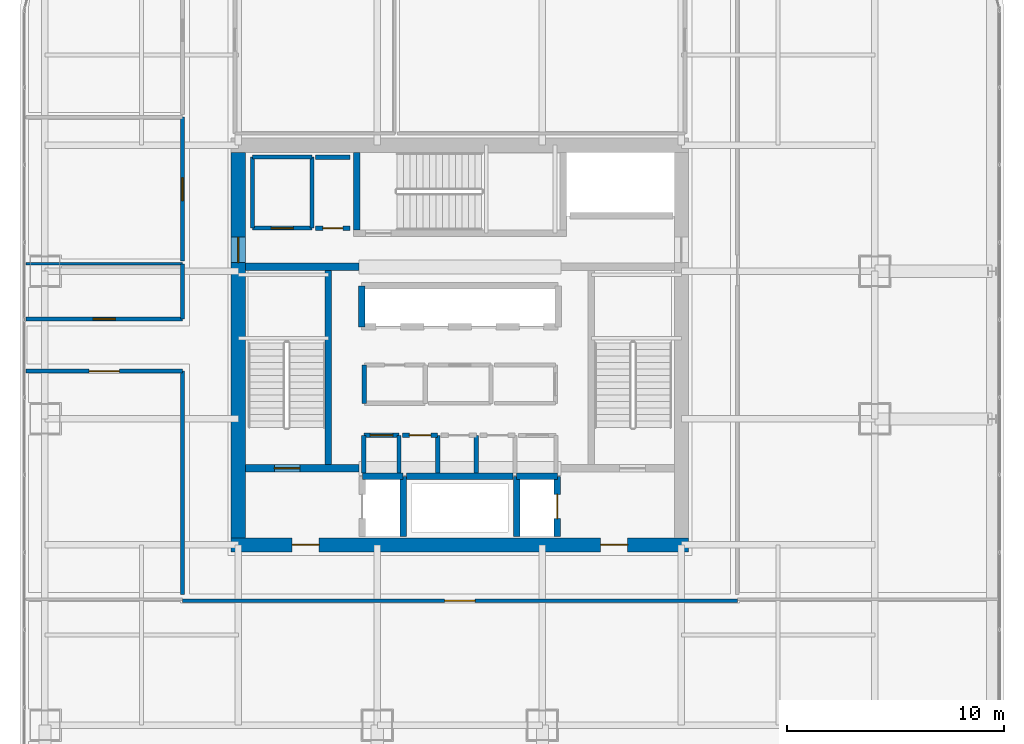
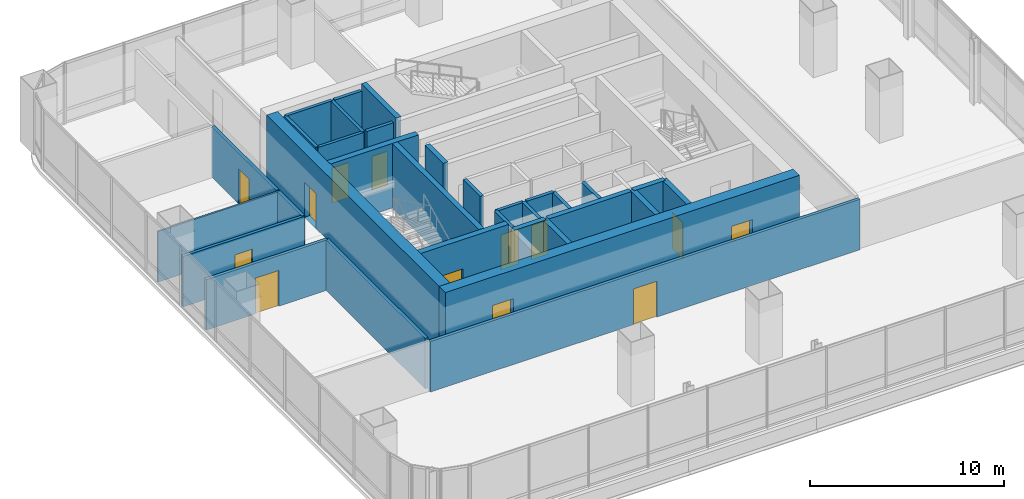
# One storey, part 29 of 36: 33 walls, 13 doors, 13 openings.
"""IFC4 building model written with IfcOpenShell, lengths in metres."""

import ifcopenshell
import ifcopenshell.guid

model = None  # the IFC model being written
_history = None  # IfcOwnerHistory: only IFC2X3 demands one
_inside = {}  # id of a spatial element -> (the spatial element, [elements in it])
_under = {}  # id of a project, library or spatial element -> (it, [spatial elements below it])
_declared = {}  # id of a project -> (the project, [libraries it declares])
_typed = {}  # id of a type object -> (the type object, [elements of that type])
_made_of = {}  # id of a material, layer set ... -> (it, [elements and type objects made of it])


def new_model(schema):
    """Start an empty IFC model of exactly this schema.

    Asked for "IFC4X3", IfcOpenShell would pick the latest addendum, in which some entities
    have other attributes; the version numbers below select the first issue.
    IFC2X3 requires an IfcOwnerHistory on every rooted entity: one is made here for all.
    """
    global model, _history
    if schema == "IFC4X3":
        model = ifcopenshell.file(schema_version=(4, 3, 0, 0))
    else:
        model = ifcopenshell.file(schema=schema)
    _inside.clear()
    _under.clear()
    _declared.clear()
    _typed.clear()
    _made_of.clear()
    _history = None
    if model.schema == "IFC2X3":
        org = make("IfcOrganization", Name="unknown")
        user = make(
            "IfcPersonAndOrganization",
            ThePerson=make("IfcPerson", FamilyName="unknown"),
            TheOrganization=org,
        )
        app = make(
            "IfcApplication",
            ApplicationDeveloper=org,
            Version="unknown",
            ApplicationFullName="unknown",
            ApplicationIdentifier="unknown",
        )
        _history = make(
            "IfcOwnerHistory",
            OwningUser=user,
            OwningApplication=app,
            ChangeAction="ADDED",
            CreationDate=0,
        )
    return model


def make(cls, **values):
    """One entity of the class cls with the attributes given. An attribute that is None is left unset."""
    return model.create_entity(
        cls, **{name: value for name, value in values.items() if value is not None}
    )


def rooted(cls, **values):
    """An entity with a GlobalId (a new one), such as an element, a storey or a relation."""
    return make(cls, GlobalId=ifcopenshell.guid.new(), OwnerHistory=_history, **values)


def si_unit(unit_type, name, prefix=None):
    """IfcSIUnit, for example si_unit("LENGTHUNIT", "METRE", prefix="MILLI")."""
    return make("IfcSIUnit", UnitType=unit_type, Prefix=prefix, Name=name)


def assignment(units):
    """IfcUnitAssignment: the units of a project."""
    return None if units is None else make("IfcUnitAssignment", Units=units)


def point(xyz):
    """IfcCartesianPoint."""
    return None if xyz is None else make("IfcCartesianPoint", Coordinates=xyz)


def direction(xyz):
    """IfcDirection."""
    return None if xyz is None else make("IfcDirection", DirectionRatios=xyz)


def frame(location, z_axis=None, x_axis=None):
    """IfcAxis2Placement3D, a coordinate frame: its origin and axes. An axis left out is left unset."""
    return make(
        "IfcAxis2Placement3D",
        Location=point(location),
        Axis=direction(z_axis),
        RefDirection=direction(x_axis),
    )


def frame_2d(location, x_axis=None):
    """IfcAxis2Placement2D, a coordinate frame in the plane: its origin and x axis."""
    return make(
        "IfcAxis2Placement2D", Location=point(location), RefDirection=direction(x_axis)
    )


def origin():
    """The frame at (0, 0, 0) with its axes left unset."""
    return frame((0.0, 0.0, 0.0))


def place(relative_to, where):
    """IfcLocalPlacement: puts the frame where relative to a parent placement (None: the world)."""
    return make(
        "IfcLocalPlacement", PlacementRelTo=relative_to, RelativePlacement=where
    )


def context(
    kind, dimensions, precision=None, world=None, true_north=None, identifier=None
):
    """IfcGeometricRepresentationContext, for example the 3D "Model" context."""
    return make(
        "IfcGeometricRepresentationContext",
        ContextIdentifier=identifier,
        ContextType=kind,
        CoordinateSpaceDimension=dimensions,
        Precision=precision,
        WorldCoordinateSystem=world,
        TrueNorth=true_north,
    )


def subcontext(parent, identifier, kind, view, scale=None):
    """IfcGeometricRepresentationSubContext, for example "Body" below "Model"."""
    return make(
        "IfcGeometricRepresentationSubContext",
        ContextIdentifier=identifier,
        ContextType=kind,
        ParentContext=parent,
        TargetScale=scale,
        TargetView=view,
    )


def project(units=None, contexts=None):
    """IfcProject with its units and contexts."""
    return rooted(
        "IfcProject",
        Name="project",
        RepresentationContexts=contexts,
        UnitsInContext=assignment(units),
    )


def spatial(cls, under=None, at=None, **own):
    """A site, building, storey or space (cls), placed at a placement, below another one or the project."""
    s = rooted(cls, ObjectPlacement=at, **own)
    if under is not None:
        _under.setdefault(under.id(), (under, []))[1].append(s)
    return s


def profile(cls, at=None, kind="AREA", **sizes):
    """A parametric profile (cls). Its sizes go by their IFC names, for example OverallWidth=200.0."""
    return make(cls, ProfileType=kind, Position=at, **sizes)


def rectangle(**sizes):
    """IfcRectangleProfileDef."""
    return profile("IfcRectangleProfileDef", **sizes)


def extrude(swept, where, along, depth):
    """IfcExtrudedAreaSolid: the profile swept, set in the frame where, extruded along a direction by depth."""
    return make(
        "IfcExtrudedAreaSolid",
        SweptArea=swept,
        Position=where,
        ExtrudedDirection=direction(along),
        Depth=depth,
    )


def shape(context_of_items, identifier, shape_type, items):
    """IfcShapeRepresentation: the items that make up one representation, for example the "Body"."""
    return make(
        "IfcShapeRepresentation",
        ContextOfItems=context_of_items,
        RepresentationIdentifier=identifier,
        RepresentationType=shape_type,
        Items=items,
    )


def material(Name=None, Category=None):
    """IfcMaterial."""
    return make("IfcMaterial", Name=Name, Category=Category)


def layer(
    of_material, thickness, ventilated=None, Name=None, Category=None, Priority=None
):
    """IfcMaterialLayer: one layer of a wall or slab, of a material (None: an air gap)."""
    return make(
        "IfcMaterialLayer",
        Material=of_material,
        LayerThickness=thickness,
        IsVentilated=ventilated,
        Name=Name,
        Category=Category,
        Priority=Priority,
    )


def layer_set(layers, Name=None):
    """IfcMaterialLayerSet."""
    return make("IfcMaterialLayerSet", MaterialLayers=layers, LayerSetName=Name)


def made_of(thing, what):
    """Note that an element or type object is made of a material, layer set ...; save() writes the relation."""
    if what is not None:
        _made_of.setdefault(what.id(), (what, []))[1].append(thing)
    return thing


def type_object(cls, material=None, **own):
    """A type object (cls), such as IfcWallType, which elements share."""
    return made_of(rooted(cls, **own), material)


def element(
    cls,
    number,
    at=None,
    inside=None,
    cuts=None,
    type_object=None,
    material=None,
    context=None,
    identifier="Body",
    shape_type=None,
    held_by="IfcProductDefinitionShape",
    body=None,
    shapes=None,
    **own,
):
    """One element of the class cls, such as IfcWall. Its Tag is "e" and its number.

    at: its placement. inside: the storey or other place that contains it. cuts: it is an
    opening in that element (IfcRelVoidsElement). A single representation is given by context,
    identifier, shape_type and body (its items); several are given by shapes. held_by: the class
    of the entity that holds the representations. save() writes the other relations.
    """
    e = rooted(cls, Tag="e%d" % number, ObjectPlacement=at, **own)
    if body is not None:
        shapes = [shape(context, identifier, shape_type, body)]
    if shapes is not None:
        e.Representation = make(held_by, Representations=shapes)
    if inside is not None:
        _inside.setdefault(inside.id(), (inside, []))[1].append(e)
    if cuts is not None:
        rooted(
            "IfcRelVoidsElement", RelatingBuildingElement=cuts, RelatedOpeningElement=e
        )
    if type_object is not None:
        _typed.setdefault(type_object.id(), (type_object, []))[1].append(e)
    return made_of(e, material)


def fill(opening, filler):
    """IfcRelFillsElement: the door or window that sits in an opening."""
    return rooted(
        "IfcRelFillsElement",
        RelatingOpeningElement=opening,
        RelatedBuildingElement=filler,
    )


def aggregate(whole, parts):
    """IfcRelAggregates: a whole, such as a stair, and the parts it consists of."""
    return rooted("IfcRelAggregates", RelatingObject=whole, RelatedObjects=parts)


def save(model, path):
    """Write the relations noted so far, then the file.

    IfcRelAggregates (storeys below a building ...), IfcRelContainedInSpatialStructure (elements
    in a storey), IfcRelDefinesByType, IfcRelAssociatesMaterial and IfcRelDeclares: one each for
    every whole, place, type object, material and project.
    """
    for whole, parts in _under.values():
        aggregate(whole, parts)
    for where, things in _inside.values():
        rooted(
            "IfcRelContainedInSpatialStructure",
            RelatedElements=things,
            RelatingStructure=where,
        )
    for kind, things in _typed.values():
        rooted("IfcRelDefinesByType", RelatedObjects=things, RelatingType=kind)
    for what, things in _made_of.values():
        rooted("IfcRelAssociatesMaterial", RelatedObjects=things, RelatingMaterial=what)
    for by, libraries in _declared.values():
        rooted("IfcRelDeclares", RelatingContext=by, RelatedDefinitions=libraries)
    model.write(path)


model = new_model("IFC4")

# Units and contexts
model_context = context("Model", 3, precision=1e-05, world=origin(), true_north=direction((0.0, 1.0)))
body_context = subcontext(model_context, "Body", "Model", "MODEL_VIEW")
ifc_project = project(units=[si_unit("LENGTHUNIT", "METRE"), si_unit("AREAUNIT", "SQUARE_METRE"), si_unit("VOLUMEUNIT", "CUBIC_METRE"), si_unit("PLANEANGLEUNIT", "RADIAN"), si_unit("MASSUNIT", "GRAM", prefix="KILO")], contexts=[model_context])

# Site, building, storey
site_placement = place(None, origin())
site = spatial("IfcSite", under=ifc_project, at=site_placement, CompositionType="ELEMENT")
building_placement = place(site_placement, origin())
building = spatial("IfcBuilding", under=site, at=building_placement, Name="Punatoya Terracotta Tower", CompositionType="ELEMENT")
storey_placement = place(building_placement, frame((0.0, 0.0, 212.699951171875)))
storey = spatial("IfcBuildingStorey", under=building, at=storey_placement, Name="L50", CompositionType="ELEMENT", Elevation=212.699951171875)

# Wall, openings, doors
ifc_material_1 = material(Name="Concrete C60/75", Category="concrete")
ifc_layer_1 = layer(ifc_material_1, 0.64990234375)
ifc_layer_set_1 = layer_set([ifc_layer_1], Name="Concrete C60/75")
wall_type_1 = type_object("IfcWallType", Name="WL-COR-650", PredefinedType="SHEAR", material=ifc_layer_set_1)
wall_1_placement = place(storey_placement, frame((10.52490234375, -9.199951171875, 0.0), z_axis=(0.0, 0.0, 1.0), x_axis=(-1.0, 0.0, 0.0)))
wall_1 = element("IfcWall", 1, at=wall_1_placement, inside=storey, type_object=wall_type_1, Name="L50 Core Shear Wall S", PredefinedType="SHEAR", context=body_context, shape_type="SweptSolid", body=[
    extrude(rectangle(XDim=21.0498046875, YDim=0.64990234375, at=frame_2d((10.52490234375, 0.0))), origin(), (0.0, 0.0, 1.0), 4.050048828125),
])
opening_1_placement = place(wall_1_placement, frame((2.800048828125, 0.0, 0.0)))
opening_1 = element("IfcOpeningElement", 2, at=opening_1_placement, cuts=wall_1, Name="Opening FD-L1", PredefinedType="OPENING", context=body_context, shape_type="SweptSolid", body=[
    extrude(rectangle(XDim=1.25, YDim=2.25, at=frame_2d((0.625, 1.125))), frame((0.0, 0.3349609375, 0.0), z_axis=(0.0, -1.0, 0.0), x_axis=(1.0, 0.0, 0.0)), (0.0, 0.0, 1.0), 0.669921875),
])
opening_2_placement = place(wall_1_placement, frame((17.0, 0.0, 0.0)))
opening_2 = element("IfcOpeningElement", 3, at=opening_2_placement, cuts=wall_1, Name="Opening FD-L1", PredefinedType="OPENING", context=body_context, shape_type="SweptSolid", body=[
    extrude(rectangle(XDim=1.25, YDim=2.25, at=frame_2d((0.625, 1.125))), frame((0.0, 0.3349609375, 0.0), z_axis=(0.0, -1.0, 0.0), x_axis=(1.0, 0.0, 0.0)), (0.0, 0.0, 1.0), 0.669921875),
])
ifc_material_2 = material(Name="Galvanised Steel Smokeproof Fire Door", Category="steel")
door_type_1 = type_object("IfcDoorType", Name="DR-FFL-1250", OperationType="NOTDEFINED", PredefinedType="DOOR", material=ifc_material_2)
door_1_placement = place(opening_1_placement, origin())
door_1 = element("IfcDoor", 4, at=door_1_placement, inside=storey, type_object=door_type_1, Name="L50 East Firefighting Lobby Corridor Fire Door", OperationType="SINGLE_SWING_LEFT", OverallHeight=2.25, OverallWidth=1.25, PredefinedType="DOOR", context=body_context, shape_type="SweptSolid", body=[
    extrude(rectangle(XDim=1.25, YDim=2.25, at=frame_2d((0.625, 1.125))), frame((0.0, 0.02490234375, 0.0), z_axis=(0.0, -1.0, 0.0), x_axis=(1.0, 0.0, 0.0)), (0.0, 0.0, 1.0), 0.050048828125),
])
fill(opening_1, door_1)
door_2_placement = place(opening_2_placement, origin())
door_2 = element("IfcDoor", 5, at=door_2_placement, inside=storey, type_object=door_type_1, Name="L50 West Firefighting Lobby Corridor Fire Door", OperationType="SINGLE_SWING_RIGHT", OverallHeight=2.25, OverallWidth=1.25, PredefinedType="DOOR", context=body_context, shape_type="SweptSolid", body=[
    extrude(rectangle(XDim=1.25, YDim=2.25, at=frame_2d((0.625, 1.125))), frame((0.0, 0.02490234375, 0.0), z_axis=(0.0, -1.0, 0.0), x_axis=(1.0, 0.0, 0.0)), (0.0, 0.0, 1.0), 0.050048828125),
])
fill(opening_2, door_2)

# Wall, opening, door
wall_2_placement = place(storey_placement, frame((-10.199951171875, -8.875, 0.0), z_axis=(0.0, 0.0, 1.0), x_axis=(0.0, 1.0, 0.0)))
wall_2 = element("IfcWall", 6, at=wall_2_placement, inside=storey, type_object=wall_type_1, Name="L50 Core Shear Wall W", PredefinedType="SHEAR", context=body_context, shape_type="SweptSolid", body=[
    extrude(rectangle(XDim=17.75, YDim=0.64990234375, at=frame_2d((8.875, 0.0))), origin(), (0.0, 0.0, 1.0), 4.050048828125),
])
opening_3_placement = place(wall_2_placement, frame((12.6650390625, 0.0, 0.0)))
opening_3 = element("IfcOpeningElement", 7, at=opening_3_placement, cuts=wall_2, Name="Opening SD-01", PredefinedType="OPENING", context=body_context, shape_type="SweptSolid", body=[
    extrude(rectangle(XDim=1.179931640625, YDim=2.199951171875, at=frame_2d((0.58984375, 1.10009765625))), frame((0.0, 0.3349609375, 0.0), z_axis=(0.0, -1.0, 0.0), x_axis=(1.0, 0.0, 0.0)), (0.0, 0.0, 1.0), 0.669921875),
])
ifc_material_3 = material(Name="Galvanised Steel Pressurized Stair Fire Door", Category="steel")
door_type_2 = type_object("IfcDoorType", Name="DR-STR-1180", OperationType="NOTDEFINED", PredefinedType="DOOR", material=ifc_material_3)
door_3_placement = place(opening_3_placement, origin())
door_3 = element("IfcDoor", 8, at=door_3_placement, inside=storey, type_object=door_type_2, Name="L50 Central Lift Lobby West Fire Door", OperationType="SINGLE_SWING_LEFT", OverallHeight=2.199951171875, OverallWidth=1.179931640625, PredefinedType="DOOR", context=body_context, shape_type="SweptSolid", body=[
    extrude(rectangle(XDim=1.179931640625, YDim=2.199951171875, at=frame_2d((0.58984375, 1.10009765625))), frame((0.0, 0.02490234375, 0.0), z_axis=(0.0, -1.0, 0.0), x_axis=(1.0, 0.0, 0.0)), (0.0, 0.0, 1.0), 0.050048828125),
])
fill(opening_3, door_3)

# Walls
ifc_material_4 = material(Name="Gypsum Fireboard + Steel Stud", Category="steel")
ifc_layer_2 = layer(ifc_material_4, 0.179931640625)
ifc_layer_set_2 = layer_set([ifc_layer_2], Name="Gypsum Fireboard + Steel Stud")
wall_type_2 = type_object("IfcWallType", Name="WL-CORR-180", PredefinedType="PARTITIONING", material=ifc_layer_set_2)
wall_3_placement = place(storey_placement, frame((-6.800048828125, 5.3798828125, 0.0), z_axis=(0.0, 0.0, 1.0), x_axis=(0.0, 1.0, 0.0)))
element("IfcWall", 9, at=wall_3_placement, inside=storey, type_object=wall_type_2, Name="L50 West Core Briefing Pod Partition 22", PredefinedType="PARTITIONING", context=body_context, shape_type="SweptSolid", body=[
    extrude(rectangle(XDim=3.27001953125, YDim=0.179931640625, at=frame_2d((1.635009765625, 0.0))), origin(), (0.0, 0.0, 1.0), 3.830078125),
])
wall_4_placement = place(storey_placement, frame((-6.800048828125, 8.64990234375, 0.0), z_axis=(0.0, 0.0, 1.0), x_axis=(-1.0, 0.0, 0.0)))
element("IfcWall", 10, at=wall_4_placement, inside=storey, type_object=wall_type_2, Name="L50 West Core Briefing Pod Partition 23", PredefinedType="PARTITIONING", context=body_context, shape_type="SweptSolid", body=[
    extrude(rectangle(XDim=2.75, YDim=0.179931640625, at=frame_2d((1.375, 0.0))), origin(), (0.0, 0.0, 1.0), 3.830078125),
])
wall_5_placement = place(storey_placement, frame((-9.550048828125, 8.64990234375, 0.0), z_axis=(0.0, 0.0, 1.0), x_axis=(0.0, -1.0, 0.0)))
element("IfcWall", 11, at=wall_5_placement, inside=storey, type_object=wall_type_2, Name="L50 West Core Briefing Pod Partition 24", PredefinedType="PARTITIONING", context=body_context, shape_type="SweptSolid", body=[
    extrude(rectangle(XDim=3.27001953125, YDim=0.179931640625, at=frame_2d((1.635009765625, 0.0))), origin(), (0.0, 0.0, 1.0), 3.830078125),
])

# Wall, opening, door
wall_6_placement = place(storey_placement, frame((-9.550048828125, 5.3798828125, 0.0), z_axis=(0.0, 0.0, 1.0), x_axis=(1.0, 0.0, 0.0)))
wall_6 = element("IfcWall", 12, at=wall_6_placement, inside=storey, type_object=wall_type_2, Name="L50 West Core Briefing Pod Partition 25", PredefinedType="PARTITIONING", context=body_context, shape_type="SweptSolid", body=[
    extrude(rectangle(XDim=2.75, YDim=0.179931640625, at=frame_2d((1.375, 0.0))), origin(), (0.0, 0.0, 1.0), 3.830078125),
])
opening_4_placement = place(wall_6_placement, frame((0.864990234375, 0.0, 0.0)))
opening_4 = element("IfcOpeningElement", 13, at=opening_4_placement, cuts=wall_6, Name="Opening MD-01", PredefinedType="OPENING", context=body_context, shape_type="SweptSolid", body=[
    extrude(rectangle(XDim=1.02001953125, YDim=2.199951171875, at=frame_2d((0.510009765625, 1.10009765625))), frame((0.0, 0.099853515625, 0.0), z_axis=(0.0, -1.0, 0.0), x_axis=(1.0, 0.0, 0.0)), (0.0, 0.0, 1.0), 0.199951171875),
])
ifc_material_5 = material(Name="Aluminium + Acoustic Glass Leaf", Category="aluminium")
door_type_3 = type_object("IfcDoorType", Name="DR-MTG-1020", OperationType="NOTDEFINED", PredefinedType="DOOR", material=ifc_material_5)
door_4_placement = place(opening_4_placement, origin())
door_4 = element("IfcDoor", 14, at=door_4_placement, inside=storey, type_object=door_type_3, Name="L50 West Briefing Pod Door", OperationType="SINGLE_SWING_RIGHT", OverallHeight=2.199951171875, OverallWidth=1.02001953125, PredefinedType="DOOR", context=body_context, shape_type="SweptSolid", body=[
    extrude(rectangle(XDim=1.02001953125, YDim=2.199951171875, at=frame_2d((0.510009765625, 1.10009765625))), frame((0.0, 0.02490234375, 0.0), z_axis=(0.0, -1.0, 0.0), x_axis=(1.0, 0.0, 0.0)), (0.0, 0.0, 1.0), 0.050048828125),
])
fill(opening_4, door_4)

wall_7_placement = place(storey_placement, frame((-12.77001953125, -11.77001953125, 0.0), z_axis=(0.0, 0.0, 1.0), x_axis=(1.0, 0.0, 0.0)))
wall_7 = element("IfcWall", 15, at=wall_7_placement, inside=storey, type_object=wall_type_2, Name="L50 Plenary Seminar Room Partition 29", PredefinedType="PARTITIONING", context=body_context, shape_type="SweptSolid", body=[
    extrude(rectangle(XDim=25.5400390625, YDim=0.179931640625, at=frame_2d((12.77001953125, 0.0))), origin(), (0.0, 0.0, 1.0), 3.174072265625),
])
opening_5_placement = place(wall_7_placement, frame((12.070068359375, 0.0, 0.0)))
opening_5 = element("IfcOpeningElement", 16, at=opening_5_placement, cuts=wall_7, Name="Opening BD-01", PredefinedType="OPENING", context=body_context, shape_type="SweptSolid", body=[
    extrude(rectangle(XDim=1.39990234375, YDim=2.25, at=frame_2d((0.699951171875, 1.125))), frame((0.0, 0.099853515625, 0.0), z_axis=(0.0, -1.0, 0.0), x_axis=(1.0, 0.0, 0.0)), (0.0, 0.0, 1.0), 0.199951171875),
])
ifc_material_6 = material(Name="Bengal Teak Acoustic Leaf")
door_type_4 = type_object("IfcDoorType", Name="DR-BRD-1400", OperationType="NOTDEFINED", PredefinedType="DOOR", material=ifc_material_6)
door_5_placement = place(opening_5_placement, origin())
door_5 = element("IfcDoor", 17, at=door_5_placement, inside=storey, type_object=door_type_4, Name="L50 Plenary Seminar Room Door", OperationType="SINGLE_SWING_RIGHT", OverallHeight=2.25, OverallWidth=1.39990234375, PredefinedType="DOOR", context=body_context, shape_type="SweptSolid", body=[
    extrude(rectangle(XDim=1.39990234375, YDim=2.25, at=frame_2d((0.699951171875, 1.125))), frame((0.0, 0.02490234375, 0.0), z_axis=(0.0, -1.0, 0.0), x_axis=(1.0, 0.0, 0.0)), (0.0, 0.0, 1.0), 0.050048828125),
])
fill(opening_5, door_5)

wall_8_placement = place(storey_placement, frame((-19.969970703125, -1.199951171875, 0.0), z_axis=(0.0, 0.0, 1.0), x_axis=(1.0, 0.0, 0.0)))
wall_8 = element("IfcWall", 18, at=wall_8_placement, inside=storey, type_object=wall_type_2, Name="L50 Open-Plan Client Strategy Boardroom Partition 31", PredefinedType="PARTITIONING", context=body_context, shape_type="SweptSolid", body=[
    extrude(rectangle(XDim=7.199951171875, YDim=0.179931640625, at=frame_2d((3.60009765625, 0.0))), origin(), (0.0, 0.0, 1.0), 3.174072265625),
])
opening_6_placement = place(wall_8_placement, frame((2.89990234375, 0.0, 0.0)))
opening_6 = element("IfcOpeningElement", 19, at=opening_6_placement, cuts=wall_8, Name="Opening BD-01", PredefinedType="OPENING", context=body_context, shape_type="SweptSolid", body=[
    extrude(rectangle(XDim=1.39990234375, YDim=2.25, at=frame_2d((0.699951171875, 1.125))), frame((0.0, 0.099853515625, 0.0), z_axis=(0.0, -1.0, 0.0), x_axis=(1.0, 0.0, 0.0)), (0.0, 0.0, 1.0), 0.199951171875),
])
door_6_placement = place(opening_6_placement, origin())
door_6 = element("IfcDoor", 20, at=door_6_placement, inside=storey, type_object=door_type_4, Name="L50 Open-Plan Client Strategy Boardroom Door", OperationType="SINGLE_SWING_LEFT", OverallHeight=2.25, OverallWidth=1.39990234375, PredefinedType="DOOR", context=body_context, shape_type="SweptSolid", body=[
    extrude(rectangle(XDim=1.39990234375, YDim=2.25, at=frame_2d((0.699951171875, 1.125))), frame((0.0, 0.02490234375, 0.0), z_axis=(0.0, -1.0, 0.0), x_axis=(1.0, 0.0, 0.0)), (0.0, 0.0, 1.0), 0.050048828125),
])
fill(opening_6, door_6)

# Wall
wall_9_placement = place(storey_placement, frame((-12.77001953125, -1.199951171875, 0.0), z_axis=(0.0, 0.0, 1.0), x_axis=(0.0, -1.0, 0.0)))
element("IfcWall", 21, at=wall_9_placement, inside=storey, type_object=wall_type_2, Name="L50 Open-Plan Client Strategy Boardroom Partition 32", PredefinedType="PARTITIONING", context=body_context, shape_type="SweptSolid", body=[
    extrude(rectangle(XDim=10.2900390625, YDim=0.179931640625, at=frame_2d((5.14501953125, 0.0))), origin(), (0.0, 0.0, 1.0), 3.174072265625),
])

# Wall, opening, door
wall_10_placement = place(storey_placement, frame((-12.77001953125, 1.199951171875, 0.0), z_axis=(0.0, 0.0, 1.0), x_axis=(-1.0, 0.0, 0.0)))
wall_10 = element("IfcWall", 22, at=wall_10_placement, inside=storey, type_object=wall_type_2, Name="L50 Open-Plan Collaborative Workshop Room Partition 33", PredefinedType="PARTITIONING", context=body_context, shape_type="SweptSolid", body=[
    extrude(rectangle(XDim=7.199951171875, YDim=0.179931640625, at=frame_2d((3.60009765625, 0.0))), origin(), (0.0, 0.0, 1.0), 3.174072265625),
])
opening_7_placement = place(wall_10_placement, frame((3.090087890625, 0.0, 0.0)))
opening_7 = element("IfcOpeningElement", 23, at=opening_7_placement, cuts=wall_10, Name="Opening MD-01", PredefinedType="OPENING", context=body_context, shape_type="SweptSolid", body=[
    extrude(rectangle(XDim=1.02001953125, YDim=2.199951171875, at=frame_2d((0.510009765625, 1.10009765625))), frame((0.0, 0.099853515625, 0.0), z_axis=(0.0, -1.0, 0.0), x_axis=(1.0, 0.0, 0.0)), (0.0, 0.0, 1.0), 0.199951171875),
])
door_7_placement = place(opening_7_placement, origin())
door_7 = element("IfcDoor", 24, at=door_7_placement, inside=storey, type_object=door_type_3, Name="L50 Open-Plan Collaborative Workshop Room Door", OperationType="SINGLE_SWING_RIGHT", OverallHeight=2.199951171875, OverallWidth=1.02001953125, PredefinedType="DOOR", context=body_context, shape_type="SweptSolid", body=[
    extrude(rectangle(XDim=1.02001953125, YDim=2.199951171875, at=frame_2d((0.510009765625, 1.10009765625))), frame((0.0, 0.02490234375, 0.0), z_axis=(0.0, -1.0, 0.0), x_axis=(1.0, 0.0, 0.0)), (0.0, 0.0, 1.0), 0.050048828125),
])
fill(opening_7, door_7)

# Wall
wall_11_placement = place(storey_placement, frame((-12.77001953125, 3.739990234375, 0.0), z_axis=(0.0, 0.0, 1.0), x_axis=(0.0, -1.0, 0.0)))
element("IfcWall", 25, at=wall_11_placement, inside=storey, type_object=wall_type_2, Name="L50 Open-Plan Collaborative Workshop Room Partition 35", PredefinedType="PARTITIONING", context=body_context, shape_type="SweptSolid", body=[
    extrude(rectangle(XDim=2.5400390625, YDim=0.179931640625, at=frame_2d((1.27001953125, 0.0))), origin(), (0.0, 0.0, 1.0), 3.174072265625),
])

# Wall, opening, door
wall_12_placement = place(storey_placement, frame((-12.77001953125, 10.493896484375, 0.0), z_axis=(0.0, 0.0, 1.0), x_axis=(0.0, -1.0, 0.0)))
wall_12 = element("IfcWall", 26, at=wall_12_placement, inside=storey, type_object=wall_type_2, Name="L50 Breakout Tea Pantry Partition 38", PredefinedType="PARTITIONING", context=body_context, shape_type="SweptSolid", body=[
    extrude(rectangle(XDim=6.6337890625, YDim=0.179931640625, at=frame_2d((3.31689453125, 0.0))), origin(), (0.0, 0.0, 1.0), 3.174072265625),
])
opening_8_placement = place(wall_12_placement, frame((2.7919921875, 0.0, 0.0)))
opening_8 = element("IfcOpeningElement", 27, at=opening_8_placement, cuts=wall_12, Name="Opening OD-01", PredefinedType="OPENING", context=body_context, shape_type="SweptSolid", body=[
    extrude(rectangle(XDim=1.050048828125, YDim=2.199951171875, at=frame_2d((0.52490234375, 1.10009765625))), frame((0.0, 0.099853515625, 0.0), z_axis=(0.0, -1.0, 0.0), x_axis=(1.0, 0.0, 0.0)), (0.0, 0.0, 1.0), 0.199951171875),
])
ifc_material_7 = material(Name="Bengal Teak Solid-Core Leaf")
door_type_5 = type_object("IfcDoorType", Name="DR-OFF-1050", OperationType="NOTDEFINED", PredefinedType="DOOR", material=ifc_material_7)
door_8_placement = place(opening_8_placement, origin())
door_8 = element("IfcDoor", 28, at=door_8_placement, inside=storey, type_object=door_type_5, Name="L50 Breakout Tea Pantry Door", OperationType="SINGLE_SWING_RIGHT", OverallHeight=2.199951171875, OverallWidth=1.050048828125, PredefinedType="DOOR", context=body_context, shape_type="SweptSolid", body=[
    extrude(rectangle(XDim=1.050048828125, YDim=2.199951171875, at=frame_2d((0.52490234375, 1.10009765625))), frame((0.0, 0.02490234375, 0.0), z_axis=(0.0, -1.0, 0.0), x_axis=(1.0, 0.0, 0.0)), (0.0, 0.0, 1.0), 0.050048828125),
])
fill(opening_8, door_8)

# Walls
ifc_material_8 = material(Name="Aluminium Framed Acoustic Glass Partition", Category="aluminium")
ifc_layer_3 = layer(ifc_material_8, 0.10009765625)
ifc_layer_set_3 = layer_set([ifc_layer_3], Name="Aluminium Framed Acoustic Glass Partition")
wall_type_3 = type_object("IfcWallType", Name="WL-GLZ-100", PredefinedType="PARTITIONING", material=ifc_layer_set_3)
wall_13_placement = place(storey_placement, frame((-19.969970703125, 3.739990234375, 0.0), z_axis=(0.0, 0.0, 1.0), x_axis=(1.0, 0.0, 0.0)))
element("IfcWall", 29, at=wall_13_placement, inside=storey, type_object=wall_type_3, Name="L50 Open-Plan Collaborative Workshop Room Partition 34", PredefinedType="PARTITIONING", context=body_context, shape_type="SweptSolid", body=[
    extrude(rectangle(XDim=7.199951171875, YDim=0.10009765625, at=frame_2d((3.60009765625, 0.0))), origin(), (0.0, 0.0, 1.0), 3.174072265625),
])
ifc_material_9 = material(Name="Concrete C40/50", Category="concrete")
ifc_layer_4 = layer(ifc_material_9, 0.199951171875)
ifc_layer_set_4 = layer_set([ifc_layer_4], Name="Concrete C40/50")
wall_type_4 = type_object("IfcWallType", Name="WL-INT-200", PredefinedType="SOLIDWALL", material=ifc_layer_set_4)
wall_14_placement = place(storey_placement, frame((-2.800048828125, -5.89990234375, 0.0), z_axis=(0.0, 0.0, 1.0), x_axis=(0.0, 1.0, 0.0)))
element("IfcWall", 30, at=wall_14_placement, inside=storey, type_object=wall_type_4, Name="L50 Core Tea Pantry Partition 01", PredefinedType="SOLIDWALL", context=body_context, shape_type="SweptSolid", body=[
    extrude(rectangle(XDim=1.739990234375, YDim=0.199951171875, at=frame_2d((0.8701171875, 0.0))), origin(), (0.0, 0.0, 1.0), 3.830078125),
])

# Wall, opening, door
wall_15_placement = place(storey_placement, frame((-2.800048828125, -4.159912109375, 0.0), z_axis=(0.0, 0.0, 1.0), x_axis=(-1.0, 0.0, 0.0)))
wall_15 = element("IfcWall", 31, at=wall_15_placement, inside=storey, type_object=wall_type_4, Name="L50 Core Tea Pantry Partition 02", PredefinedType="SOLIDWALL", context=body_context, shape_type="SweptSolid", body=[
    extrude(rectangle(XDim=1.619873046875, YDim=0.199951171875, at=frame_2d((0.81005859375, 0.0))), origin(), (0.0, 0.0, 1.0), 3.830078125),
])
opening_9_placement = place(wall_15_placement, frame((0.284912109375, 0.0, 0.0)))
opening_9 = element("IfcOpeningElement", 32, at=opening_9_placement, cuts=wall_15, Name="Opening OD-01", PredefinedType="OPENING", context=body_context, shape_type="SweptSolid", body=[
    extrude(rectangle(XDim=1.050048828125, YDim=2.199951171875, at=frame_2d((0.52490234375, 1.10009765625))), frame((0.0, 0.10986328125, 0.0), z_axis=(0.0, -1.0, 0.0), x_axis=(1.0, 0.0, 0.0)), (0.0, 0.0, 1.0), 0.219970703125),
])
door_9_placement = place(opening_9_placement, origin())
door_9 = element("IfcDoor", 33, at=door_9_placement, inside=storey, type_object=door_type_5, Name="L50 Tea Pantry Door", OperationType="SINGLE_SWING_RIGHT", OverallHeight=2.199951171875, OverallWidth=1.050048828125, PredefinedType="DOOR", context=body_context, shape_type="SweptSolid", body=[
    extrude(rectangle(XDim=1.050048828125, YDim=2.199951171875, at=frame_2d((0.52490234375, 1.10009765625))), frame((0.0, 0.02490234375, 0.0), z_axis=(0.0, -1.0, 0.0), x_axis=(1.0, 0.0, 0.0)), (0.0, 0.0, 1.0), 0.050048828125),
])
fill(opening_9, door_9)

# Walls
for number, where, z_axis, x_axis, name in (
    (34, (-4.419921875, -4.159912109375, 0.0), (0.0, 0.0, 1.0), (0.0, -1.0, 0.0), "L50 Core Tea Pantry Partition 03"),
    (35, (-1.02001953125, -5.89990234375, 0.0), (0.0, 0.0, 1.0), (0.0, 1.0, 0.0), "L50 Accessible Washroom Partition 04"),
):
    element("IfcWall", number, at=place(storey_placement, frame(where, z_axis=z_axis, x_axis=x_axis)), inside=storey, type_object=wall_type_4, Name=name, PredefinedType="SOLIDWALL", context=body_context, shape_type="SweptSolid", body=[
        extrude(rectangle(XDim=1.739990234375, YDim=0.199951171875, at=frame_2d((0.8701171875, 0.0))), origin(), (0.0, 0.0, 1.0), 3.830078125),
    ])

# Wall, opening, door
wall_16_placement = place(storey_placement, frame((-1.02001953125, -4.159912109375, 0.0), z_axis=(0.0, 0.0, 1.0), x_axis=(-1.0, 0.0, 0.0)))
wall_16 = element("IfcWall", 36, at=wall_16_placement, inside=storey, type_object=wall_type_4, Name="L50 Accessible Washroom Partition 05", PredefinedType="SOLIDWALL", context=body_context, shape_type="SweptSolid", body=[
    extrude(rectangle(XDim=1.619873046875, YDim=0.199951171875, at=frame_2d((0.81005859375, 0.0))), origin(), (0.0, 0.0, 1.0), 3.830078125),
])
opening_10_placement = place(wall_16_placement, frame((0.31005859375, 0.0, 0.0)))
opening_10 = element("IfcOpeningElement", 37, at=opening_10_placement, cuts=wall_16, Name="Opening AWD-1", PredefinedType="OPENING", context=body_context, shape_type="SweptSolid", body=[
    extrude(rectangle(XDim=1.0, YDim=2.14990234375, at=frame_2d((0.5, 1.074951171875))), frame((0.0, 0.10986328125, 0.0), z_axis=(0.0, -1.0, 0.0), x_axis=(1.0, 0.0, 0.0)), (0.0, 0.0, 1.0), 0.219970703125),
])
ifc_material_10 = material(Name="Bengal Teak Accessible WC Leaf")
door_type_6 = type_object("IfcDoorType", Name="DR-ACC-1000", OperationType="NOTDEFINED", PredefinedType="DOOR", material=ifc_material_10)
door_10_placement = place(opening_10_placement, origin())
door_10 = element("IfcDoor", 38, at=door_10_placement, inside=storey, type_object=door_type_6, Name="L50 Accessible Washroom Door", OperationType="SINGLE_SWING_LEFT", OverallHeight=2.14990234375, OverallWidth=1.0, PredefinedType="DOOR", context=body_context, shape_type="SweptSolid", body=[
    extrude(rectangle(XDim=1.0, YDim=2.14990234375, at=frame_2d((0.5, 1.074951171875))), frame((0.0, 0.02490234375, 0.0), z_axis=(0.0, -1.0, 0.0), x_axis=(1.0, 0.0, 0.0)), (0.0, 0.0, 1.0), 0.050048828125),
])
fill(opening_10, door_10)

# Walls
wall_17_placement = place(storey_placement, frame((0.760009765625, -5.89990234375, 0.0), z_axis=(0.0, 0.0, 1.0), x_axis=(0.0, 1.0, 0.0)))
element("IfcWall", 39, at=wall_17_placement, inside=storey, type_object=wall_type_4, Name="L50 Female Washroom Partition 06", PredefinedType="SOLIDWALL", context=body_context, shape_type="SweptSolid", body=[
    extrude(rectangle(XDim=1.739990234375, YDim=0.199951171875, at=frame_2d((0.8701171875, 0.0))), origin(), (0.0, 0.0, 1.0), 3.830078125),
])
wall_18_placement = place(storey_placement, frame((-4.39990234375, -0.919921875, 0.0), z_axis=(0.0, 0.0, 1.0), x_axis=(0.0, -1.0, 0.0)))
element("IfcWall", 40, at=wall_18_placement, inside=storey, type_object=wall_type_4, Name="L50 Left Core Store Partition 14", PredefinedType="SOLIDWALL", context=body_context, shape_type="SweptSolid", body=[
    extrude(rectangle(XDim=1.760009765625, YDim=0.199951171875, at=frame_2d((0.8798828125, 0.0))), origin(), (0.0, 0.0, 1.0), 3.830078125),
])
wall_19_placement = place(storey_placement, frame((-5.050048828125, 8.64990234375, 0.0), z_axis=(0.0, 0.0, 1.0), x_axis=(-1.0, 0.0, 0.0)))
element("IfcWall", 41, at=wall_19_placement, inside=storey, type_object=wall_type_4, Name="L50 West Core Supply Store Partition 26", PredefinedType="SOLIDWALL", context=body_context, shape_type="SweptSolid", body=[
    extrude(rectangle(XDim=1.58984375, YDim=0.199951171875, at=frame_2d((0.794921875, 0.0))), origin(), (0.0, 0.0, 1.0), 3.830078125),
])

# Wall, opening, door
wall_20_placement = place(storey_placement, frame((-6.639892578125, 5.3798828125, 0.0), z_axis=(0.0, 0.0, 1.0), x_axis=(1.0, 0.0, 0.0)))
wall_20 = element("IfcWall", 42, at=wall_20_placement, inside=storey, type_object=wall_type_4, Name="L50 West Core Supply Store Partition 27", PredefinedType="SOLIDWALL", context=body_context, shape_type="SweptSolid", body=[
    extrude(rectangle(XDim=1.58984375, YDim=0.199951171875, at=frame_2d((0.794921875, 0.0))), origin(), (0.0, 0.0, 1.0), 3.830078125),
])
opening_11_placement = place(wall_20_placement, frame((0.3349609375, 0.0, 0.0)))
opening_11 = element("IfcOpeningElement", 43, at=opening_11_placement, cuts=wall_20, Name="Opening FD-R1", PredefinedType="OPENING", context=body_context, shape_type="SweptSolid", body=[
    extrude(rectangle(XDim=0.919921875, YDim=2.10009765625, at=frame_2d((0.4599609375, 1.050048828125))), frame((0.0, 0.10986328125, 0.0), z_axis=(0.0, -1.0, 0.0), x_axis=(1.0, 0.0, 0.0)), (0.0, 0.0, 1.0), 0.219970703125),
])
ifc_material_11 = material(Name="Galvanised Steel Riser Fire Access Door", Category="steel")
door_type_7 = type_object("IfcDoorType", Name="DR-RSR-920", OperationType="NOTDEFINED", PredefinedType="DOOR", material=ifc_material_11)
door_11_placement = place(opening_11_placement, origin())
door_11 = element("IfcDoor", 44, at=door_11_placement, inside=storey, type_object=door_type_7, Name="L50 West Core Supply Store Fire Door", OperationType="SINGLE_SWING_LEFT", OverallHeight=2.10009765625, OverallWidth=0.919921875, PredefinedType="DOOR", context=body_context, shape_type="SweptSolid", body=[
    extrude(rectangle(XDim=0.919921875, YDim=2.10009765625, at=frame_2d((0.4599609375, 1.050048828125))), frame((0.0, 0.02490234375, 0.0), z_axis=(0.0, -1.0, 0.0), x_axis=(1.0, 0.0, 0.0)), (0.0, 0.0, 1.0), 0.050048828125),
])
fill(opening_11, door_11)

# Walls
ifc_layer_5 = layer(ifc_material_9, 0.300048828125)
ifc_layer_set_5 = layer_set([ifc_layer_5], Name="Concrete C40/50")
wall_type_5 = type_object("IfcWallType", Name="WL-SHF-300", PredefinedType="SOLIDWALL", material=ifc_layer_set_5)
wall_21_placement = place(storey_placement, frame((-6.050048828125, -5.5, 0.0), z_axis=(0.0, 0.0, 1.0), x_axis=(0.0, 1.0, 0.0)))
element("IfcWall", 45, at=wall_21_placement, inside=storey, type_object=wall_type_5, Name="L50 Structural Stair Shaft Wall SW-ST1-E", PredefinedType="SOLIDWALL", context=body_context, shape_type="SweptSolid", body=[
    extrude(rectangle(XDim=8.949951171875, YDim=0.300048828125, at=frame_2d((4.47509765625, 0.0))), origin(), (0.0, 0.0, 1.0), 4.050048828125),
])
wall_22_placement = place(storey_placement, frame((-4.75, 5.300048828125, 0.0), z_axis=(0.0, 0.0, 1.0), x_axis=(0.0, 1.0, 0.0)))
element("IfcWall", 46, at=wall_22_placement, inside=storey, type_object=wall_type_5, Name="L50 Structural Stair Shaft Wall SW-ST3-W", PredefinedType="SOLIDWALL", context=body_context, shape_type="SweptSolid", body=[
    extrude(rectangle(XDim=3.574951171875, YDim=0.300048828125, at=frame_2d((1.78759765625, 0.0))), origin(), (0.0, 0.0, 1.0), 4.050048828125),
])
wall_23_placement = place(storey_placement, frame((-2.610107421875, -8.820068359375, 0.0), z_axis=(0.0, 0.0, 1.0), x_axis=(0.0, 1.0, 0.0)))
element("IfcWall", 47, at=wall_23_placement, inside=storey, type_object=wall_type_5, Name="L50 FFL-1 Rear Hoistway Wall", PredefinedType="SOLIDWALL", context=body_context, shape_type="SweptSolid", body=[
    extrude(rectangle(XDim=2.77001953125, YDim=0.300048828125, at=frame_2d((1.385009765625, 0.0))), origin(), (0.0, 0.0, 1.0), 3.830078125),
])
wall_24_placement = place(storey_placement, frame((-4.489990234375, -6.050048828125, 0.0), z_axis=(0.0, 0.0, 1.0), x_axis=(1.0, 0.0, 0.0)))
element("IfcWall", 48, at=wall_24_placement, inside=storey, type_object=wall_type_5, Name="L50 FFL-1 North Hoistway Wall", PredefinedType="SOLIDWALL", context=body_context, shape_type="SweptSolid", body=[
    extrude(rectangle(XDim=1.8798828125, YDim=0.300048828125, at=frame_2d((0.93994140625, 0.0))), origin(), (0.0, 0.0, 1.0), 3.830078125),
])

# Wall, opening, door
wall_25_placement = place(storey_placement, frame((4.489990234375, -8.820068359375, 0.0), z_axis=(0.0, 0.0, 1.0), x_axis=(0.0, 1.0, 0.0)))
wall_25 = element("IfcWall", 49, at=wall_25_placement, inside=storey, type_object=wall_type_5, Name="L50 FFL-2 Front Hoistway Wall", PredefinedType="SOLIDWALL", context=body_context, shape_type="SweptSolid", body=[
    extrude(rectangle(XDim=2.77001953125, YDim=0.300048828125, at=frame_2d((1.385009765625, 0.0))), origin(), (0.0, 0.0, 1.0), 3.830078125),
])
opening_12_placement = place(wall_25_placement, frame((0.824951171875, 0.0, 0.0)))
opening_12 = element("IfcOpeningElement", 50, at=opening_12_placement, cuts=wall_25, Name="Opening LD-02", PredefinedType="OPENING", context=body_context, shape_type="SweptSolid", body=[
    extrude(rectangle(XDim=1.1201171875, YDim=2.25, at=frame_2d((0.56005859375, 1.125))), frame((0.0, 0.159912109375, 0.0), z_axis=(0.0, -1.0, 0.0), x_axis=(1.0, 0.0, 0.0)), (0.0, 0.0, 1.0), 0.320068359375),
])
ifc_material_12 = material(Name="Stainless Steel Lift Landing Door", Category="steel")
door_type_8 = type_object("IfcDoorType", Name="DR-LND-1120", OperationType="NOTDEFINED", PredefinedType="DOOR", material=ifc_material_12)
door_12_placement = place(opening_12_placement, origin())
door_12 = element("IfcDoor", 51, at=door_12_placement, inside=storey, type_object=door_type_8, Name="L50 Firefighting Lift FFL-2 Sliding Landing Door", OperationType="SLIDING_TO_RIGHT", OverallHeight=2.25, OverallWidth=1.1201171875, PredefinedType="DOOR", context=body_context, shape_type="SweptSolid", body=[
    extrude(rectangle(XDim=1.1201171875, YDim=2.25, at=frame_2d((0.56005859375, 1.125))), frame((0.0, 0.02490234375, 0.0), z_axis=(0.0, -1.0, 0.0), x_axis=(1.0, 0.0, 0.0)), (0.0, 0.0, 1.0), 0.050048828125),
])
fill(opening_12, door_12)

# Walls
wall_26_placement = place(storey_placement, frame((2.610107421875, -8.820068359375, 0.0), z_axis=(0.0, 0.0, 1.0), x_axis=(0.0, 1.0, 0.0)))
element("IfcWall", 52, at=wall_26_placement, inside=storey, type_object=wall_type_5, Name="L50 FFL-2 Rear Hoistway Wall", PredefinedType="SOLIDWALL", context=body_context, shape_type="SweptSolid", body=[
    extrude(rectangle(XDim=2.77001953125, YDim=0.300048828125, at=frame_2d((1.385009765625, 0.0))), origin(), (0.0, 0.0, 1.0), 3.830078125),
])
for number, where, z_axis, x_axis, name in (
    (53, (2.610107421875, -6.050048828125, 0.0), (0.0, 0.0, 1.0), (1.0, 0.0, 0.0), "L50 FFL-2 North Hoistway Wall"),
    (54, (-4.52001953125, 0.840087890625, 0.0), (0.0, 0.0, 1.0), (0.0, 1.0, 0.0), "L50 North Lift Bank West End Wall"),
):
    element("IfcWall", number, at=place(storey_placement, frame(where, z_axis=z_axis, x_axis=x_axis)), inside=storey, type_object=wall_type_5, Name=name, PredefinedType="SOLIDWALL", context=body_context, shape_type="SweptSolid", body=[
        extrude(rectangle(XDim=1.8798828125, YDim=0.300048828125, at=frame_2d((0.93994140625, 0.0))), origin(), (0.0, 0.0, 1.0), 3.830078125),
    ])
wall_27_placement = place(storey_placement, frame((-2.449951171875, -6.050048828125, 0.0), z_axis=(0.0, 0.0, 1.0), x_axis=(1.0, 0.0, 0.0)))
element("IfcWall", 55, at=wall_27_placement, inside=storey, type_object=wall_type_5, Name="L50 Observation Shuttle Rear Hoistway Wall", PredefinedType="SOLIDWALL", context=body_context, shape_type="SweptSolid", body=[
    extrude(rectangle(XDim=4.89990234375, YDim=0.300048828125, at=frame_2d((2.449951171875, 0.0))), origin(), (0.0, 0.0, 1.0), 3.830078125),
])

# Wall, opening, door
ifc_material_13 = material(Name="Concrete C50/60", Category="concrete")
ifc_layer_6 = layer(ifc_material_13, 0.35009765625)
ifc_layer_set_6 = layer_set([ifc_layer_6], Name="Concrete C50/60")
wall_type_6 = type_object("IfcWallType", Name="WL-SHF-350", PredefinedType="SOLIDWALL", material=ifc_layer_set_6)
wall_28_placement = place(storey_placement, frame((-9.875, -5.679931640625, 0.0), z_axis=(0.0, 0.0, 1.0), x_axis=(1.0, 0.0, 0.0)))
wall_28 = element("IfcWall", 56, at=wall_28_placement, inside=storey, type_object=wall_type_6, Name="L50 Core Web Wall CSW-L", PredefinedType="SOLIDWALL", context=body_context, shape_type="SweptSolid", body=[
    extrude(rectangle(XDim=5.22509765625, YDim=0.35009765625, at=frame_2d((2.612548828125, 0.0))), origin(), (0.0, 0.0, 1.0), 4.050048828125),
])
opening_13_placement = place(wall_28_placement, frame((1.3349609375, 0.0, 0.0)))
opening_13 = element("IfcOpeningElement", 57, at=opening_13_placement, cuts=wall_28, Name="Opening SD-01", PredefinedType="OPENING", context=body_context, shape_type="SweptSolid", body=[
    extrude(rectangle(XDim=1.179931640625, YDim=2.199951171875, at=frame_2d((0.58984375, 1.10009765625))), frame((0.0, 0.18505859375, 0.0), z_axis=(0.0, -1.0, 0.0), x_axis=(1.0, 0.0, 0.0)), (0.0, 0.0, 1.0), 0.3701171875),
])
door_13_placement = place(opening_13_placement, origin())
door_13 = element("IfcDoor", 58, at=door_13_placement, inside=storey, type_object=door_type_2, Name="L50 Stair ST-1 Smokeproof Lobby Fire Door", OperationType="SINGLE_SWING_LEFT", OverallHeight=2.199951171875, OverallWidth=1.179931640625, PredefinedType="DOOR", context=body_context, shape_type="SweptSolid", body=[
    extrude(rectangle(XDim=1.179931640625, YDim=2.199951171875, at=frame_2d((0.58984375, 1.10009765625))), frame((0.0, 0.02490234375, 0.0), z_axis=(0.0, -1.0, 0.0), x_axis=(1.0, 0.0, 0.0)), (0.0, 0.0, 1.0), 0.050048828125),
])
fill(opening_13, door_13)

# Wall
wall_29_placement = place(storey_placement, frame((-9.875, 3.60009765625, 0.0), z_axis=(0.0, 0.0, 1.0), x_axis=(1.0, 0.0, 0.0)))
element("IfcWall", 59, at=wall_29_placement, inside=storey, type_object=wall_type_6, Name="L50 Core Web Wall CNW-L", PredefinedType="SOLIDWALL", context=body_context, shape_type="SweptSolid", body=[
    extrude(rectangle(XDim=5.22509765625, YDim=0.35009765625, at=frame_2d((2.612548828125, 0.0))), origin(), (0.0, 0.0, 1.0), 4.050048828125),
])

save(model, "model.ifc")
